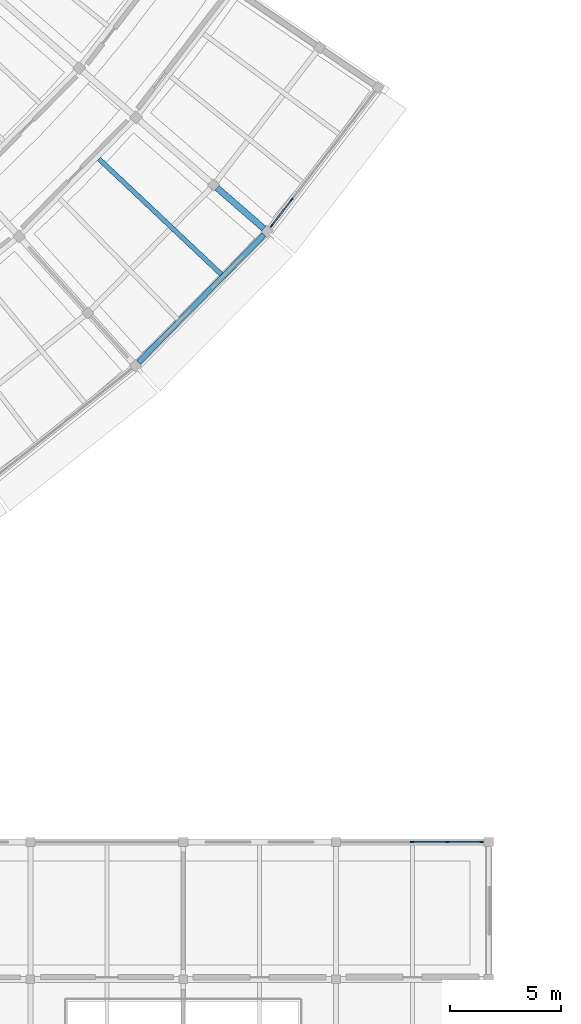
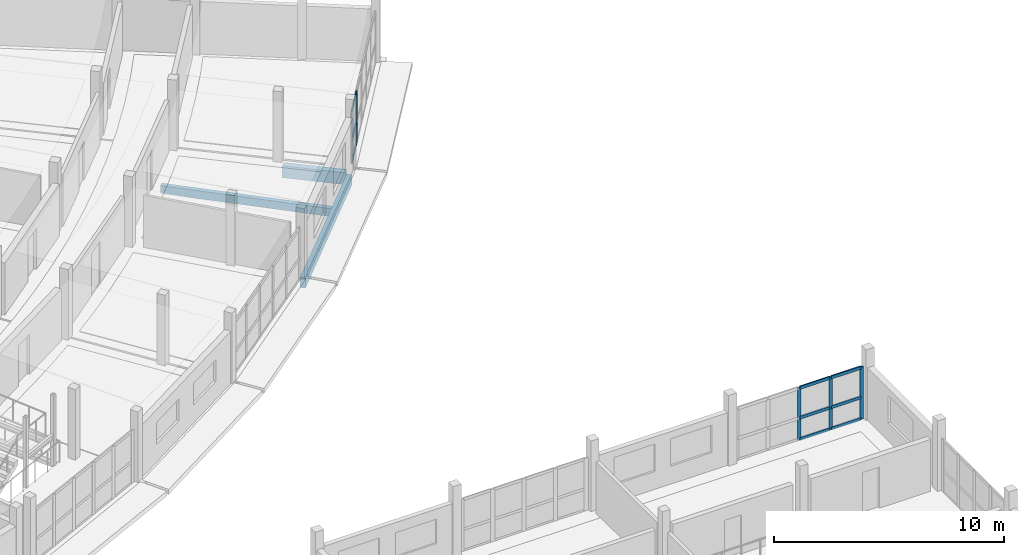
# One storey, part 39 of 77: 14 members, 3 beams, 2 elements without a shape of their own.
"""IFC4 building model written with IfcOpenShell, lengths in metres."""

import ifcopenshell
import ifcopenshell.guid

model = None  # the IFC model being written
_history = None  # IfcOwnerHistory: only IFC2X3 demands one
_inside = {}  # id of a spatial element -> (the spatial element, [elements in it])
_under = {}  # id of a project, library or spatial element -> (it, [spatial elements below it])
_declared = {}  # id of a project -> (the project, [libraries it declares])
_typed = {}  # id of a type object -> (the type object, [elements of that type])
_made_of = {}  # id of a material, layer set ... -> (it, [elements and type objects made of it])


def new_model(schema):
    """Start an empty IFC model of exactly this schema.

    Asked for "IFC4X3", IfcOpenShell would pick the latest addendum, in which some entities
    have other attributes; the version numbers below select the first issue.
    IFC2X3 requires an IfcOwnerHistory on every rooted entity: one is made here for all.
    """
    global model, _history
    if schema == "IFC4X3":
        model = ifcopenshell.file(schema_version=(4, 3, 0, 0))
    else:
        model = ifcopenshell.file(schema=schema)
    _inside.clear()
    _under.clear()
    _declared.clear()
    _typed.clear()
    _made_of.clear()
    _history = None
    if model.schema == "IFC2X3":
        org = make("IfcOrganization", Name="unknown")
        user = make(
            "IfcPersonAndOrganization",
            ThePerson=make("IfcPerson", FamilyName="unknown"),
            TheOrganization=org,
        )
        app = make(
            "IfcApplication",
            ApplicationDeveloper=org,
            Version="unknown",
            ApplicationFullName="unknown",
            ApplicationIdentifier="unknown",
        )
        _history = make(
            "IfcOwnerHistory",
            OwningUser=user,
            OwningApplication=app,
            ChangeAction="ADDED",
            CreationDate=0,
        )
    return model


def make(cls, **values):
    """One entity of the class cls with the attributes given. An attribute that is None is left unset."""
    return model.create_entity(
        cls, **{name: value for name, value in values.items() if value is not None}
    )


def rooted(cls, **values):
    """An entity with a GlobalId (a new one), such as an element, a storey or a relation."""
    return make(cls, GlobalId=ifcopenshell.guid.new(), OwnerHistory=_history, **values)


def si_unit(unit_type, name, prefix=None):
    """IfcSIUnit, for example si_unit("LENGTHUNIT", "METRE", prefix="MILLI")."""
    return make("IfcSIUnit", UnitType=unit_type, Prefix=prefix, Name=name)


def assignment(units):
    """IfcUnitAssignment: the units of a project."""
    return None if units is None else make("IfcUnitAssignment", Units=units)


def point(xyz):
    """IfcCartesianPoint."""
    return None if xyz is None else make("IfcCartesianPoint", Coordinates=xyz)


def direction(xyz):
    """IfcDirection."""
    return None if xyz is None else make("IfcDirection", DirectionRatios=xyz)


def frame(location, z_axis=None, x_axis=None):
    """IfcAxis2Placement3D, a coordinate frame: its origin and axes. An axis left out is left unset."""
    return make(
        "IfcAxis2Placement3D",
        Location=point(location),
        Axis=direction(z_axis),
        RefDirection=direction(x_axis),
    )


def frame_2d(location, x_axis=None):
    """IfcAxis2Placement2D, a coordinate frame in the plane: its origin and x axis."""
    return make(
        "IfcAxis2Placement2D", Location=point(location), RefDirection=direction(x_axis)
    )


def origin():
    """The frame at (0, 0, 0) with its axes left unset."""
    return frame((0.0, 0.0, 0.0))


def origin_2d():
    """The frame at (0, 0) in the plane with its x axis left unset."""
    return frame_2d((0.0, 0.0))


def place(relative_to, where):
    """IfcLocalPlacement: puts the frame where relative to a parent placement (None: the world)."""
    return make(
        "IfcLocalPlacement", PlacementRelTo=relative_to, RelativePlacement=where
    )


def context(
    kind, dimensions, precision=None, world=None, true_north=None, identifier=None
):
    """IfcGeometricRepresentationContext, for example the 3D "Model" context."""
    return make(
        "IfcGeometricRepresentationContext",
        ContextIdentifier=identifier,
        ContextType=kind,
        CoordinateSpaceDimension=dimensions,
        Precision=precision,
        WorldCoordinateSystem=world,
        TrueNorth=true_north,
    )


def subcontext(parent, identifier, kind, view, scale=None):
    """IfcGeometricRepresentationSubContext, for example "Body" below "Model"."""
    return make(
        "IfcGeometricRepresentationSubContext",
        ContextIdentifier=identifier,
        ContextType=kind,
        ParentContext=parent,
        TargetScale=scale,
        TargetView=view,
    )


def project(units=None, contexts=None):
    """IfcProject with its units and contexts."""
    return rooted(
        "IfcProject",
        Name="project",
        RepresentationContexts=contexts,
        UnitsInContext=assignment(units),
    )


def spatial(cls, under=None, at=None, **own):
    """A site, building, storey or space (cls), placed at a placement, below another one or the project."""
    s = rooted(cls, ObjectPlacement=at, **own)
    if under is not None:
        _under.setdefault(under.id(), (under, []))[1].append(s)
    return s


def profile(cls, at=None, kind="AREA", **sizes):
    """A parametric profile (cls). Its sizes go by their IFC names, for example OverallWidth=200.0."""
    return make(cls, ProfileType=kind, Position=at, **sizes)


def rectangle(**sizes):
    """IfcRectangleProfileDef."""
    return profile("IfcRectangleProfileDef", **sizes)


def extrude(swept, where, along, depth):
    """IfcExtrudedAreaSolid: the profile swept, set in the frame where, extruded along a direction by depth."""
    return make(
        "IfcExtrudedAreaSolid",
        SweptArea=swept,
        Position=where,
        ExtrudedDirection=direction(along),
        Depth=depth,
    )


def shape(context_of_items, identifier, shape_type, items):
    """IfcShapeRepresentation: the items that make up one representation, for example the "Body"."""
    return make(
        "IfcShapeRepresentation",
        ContextOfItems=context_of_items,
        RepresentationIdentifier=identifier,
        RepresentationType=shape_type,
        Items=items,
    )


def material(Name=None, Category=None):
    """IfcMaterial."""
    return make("IfcMaterial", Name=Name, Category=Category)


def layer(
    of_material, thickness, ventilated=None, Name=None, Category=None, Priority=None
):
    """IfcMaterialLayer: one layer of a wall or slab, of a material (None: an air gap)."""
    return make(
        "IfcMaterialLayer",
        Material=of_material,
        LayerThickness=thickness,
        IsVentilated=ventilated,
        Name=Name,
        Category=Category,
        Priority=Priority,
    )


def layer_set(layers, Name=None):
    """IfcMaterialLayerSet."""
    return make("IfcMaterialLayerSet", MaterialLayers=layers, LayerSetName=Name)


def material_profile(
    of_material, cross_section, Name=None, Category=None, Priority=None
):
    """IfcMaterialProfile: a cross section and its material."""
    return make(
        "IfcMaterialProfile",
        Name=Name,
        Material=of_material,
        Profile=cross_section,
        Priority=Priority,
        Category=Category,
    )


def profile_set(profiles, Name=None, composite=None):
    """IfcMaterialProfileSet."""
    return make(
        "IfcMaterialProfileSet",
        Name=Name,
        MaterialProfiles=profiles,
        CompositeProfile=composite,
    )


def made_of(thing, what):
    """Note that an element or type object is made of a material, layer set ...; save() writes the relation."""
    if what is not None:
        _made_of.setdefault(what.id(), (what, []))[1].append(thing)
    return thing


def type_object(cls, material=None, **own):
    """A type object (cls), such as IfcWallType, which elements share."""
    return made_of(rooted(cls, **own), material)


def element(
    cls,
    number,
    at=None,
    inside=None,
    cuts=None,
    type_object=None,
    material=None,
    context=None,
    identifier="Body",
    shape_type=None,
    held_by="IfcProductDefinitionShape",
    body=None,
    shapes=None,
    **own,
):
    """One element of the class cls, such as IfcWall. Its Tag is "e" and its number.

    at: its placement. inside: the storey or other place that contains it. cuts: it is an
    opening in that element (IfcRelVoidsElement). A single representation is given by context,
    identifier, shape_type and body (its items); several are given by shapes. held_by: the class
    of the entity that holds the representations. save() writes the other relations.
    """
    e = rooted(cls, Tag="e%d" % number, ObjectPlacement=at, **own)
    if body is not None:
        shapes = [shape(context, identifier, shape_type, body)]
    if shapes is not None:
        e.Representation = make(held_by, Representations=shapes)
    if inside is not None:
        _inside.setdefault(inside.id(), (inside, []))[1].append(e)
    if cuts is not None:
        rooted(
            "IfcRelVoidsElement", RelatingBuildingElement=cuts, RelatedOpeningElement=e
        )
    if type_object is not None:
        _typed.setdefault(type_object.id(), (type_object, []))[1].append(e)
    return made_of(e, material)


def aggregate(whole, parts):
    """IfcRelAggregates: a whole, such as a stair, and the parts it consists of."""
    return rooted("IfcRelAggregates", RelatingObject=whole, RelatedObjects=parts)


def save(model, path):
    """Write the relations noted so far, then the file.

    IfcRelAggregates (storeys below a building ...), IfcRelContainedInSpatialStructure (elements
    in a storey), IfcRelDefinesByType, IfcRelAssociatesMaterial and IfcRelDeclares: one each for
    every whole, place, type object, material and project.
    """
    for whole, parts in _under.values():
        aggregate(whole, parts)
    for where, things in _inside.values():
        rooted(
            "IfcRelContainedInSpatialStructure",
            RelatedElements=things,
            RelatingStructure=where,
        )
    for kind, things in _typed.values():
        rooted("IfcRelDefinesByType", RelatedObjects=things, RelatingType=kind)
    for what, things in _made_of.values():
        rooted("IfcRelAssociatesMaterial", RelatedObjects=things, RelatingMaterial=what)
    for by, libraries in _declared.values():
        rooted("IfcRelDeclares", RelatingContext=by, RelatedDefinitions=libraries)
    model.write(path)


model = new_model("IFC4")

# Units and contexts
model_context = context("Model", 3, precision=1e-05, world=origin(), true_north=direction((0.0, 1.0)))
body_context = subcontext(model_context, "Body", "Model", "MODEL_VIEW")
ifc_project = project(units=[si_unit("LENGTHUNIT", "METRE"), si_unit("AREAUNIT", "SQUARE_METRE"), si_unit("VOLUMEUNIT", "CUBIC_METRE"), si_unit("PLANEANGLEUNIT", "RADIAN"), si_unit("MASSUNIT", "GRAM", prefix="KILO")], contexts=[model_context])

# Site, building, storey
site_placement = place(None, origin())
site = spatial("IfcSite", under=ifc_project, at=site_placement, CompositionType="ELEMENT")
building_placement = place(site_placement, origin())
building = spatial("IfcBuilding", under=site, at=building_placement, Name="Caldaven Crescent School", CompositionType="ELEMENT")
storey_placement = place(building_placement, frame((0.0, 0.0, 4.419921875)))
storey = spatial("IfcBuildingStorey", under=building, at=storey_placement, Name="L01", CompositionType="ELEMENT", Elevation=4.419921875)

# Beam
ifc_material_1 = material(Name="Glulam MLE24h (GL28h)", Category="wood")
ifc_material_profile_1 = material_profile(ifc_material_1, rectangle(XDim=0.280029296875, YDim=0.6298828125, at=origin_2d()), Name="MLE 280x630")
ifc_profile_set_1 = profile_set([ifc_material_profile_1], Name="Glulam MLE24h (GL28h)")
beam_type_1 = type_object("IfcBeamType", Name="BM-GL63", PredefinedType="BEAM", material=ifc_profile_set_1)
beam_1_placement = place(storey_placement, frame((138.229736328125, 52.3359375, -0.534912109375), z_axis=(0.754735494095, -0.656029217302, 0.0), x_axis=(0.656029217302, 0.754735494095, 0.0)))
element("IfcBeam", 1, at=beam_1_placement, inside=storey, type_object=beam_type_1, Name="BMR-V4E-L01-1089", PredefinedType="BEAM", context=body_context, shape_type="SweptSolid", body=[
    extrude(rectangle(XDim=0.280029296875, YDim=0.6298828125, at=origin_2d()), origin(), (0.0, 0.0, 1.0), 2.7900390625),
])

# Curtain wall, members
ifc_material_2 = material(Name="Anodised aluminium AA 6063-T6 and low-E double glazing", Category="aluminium")
ifc_layer_1 = layer(ifc_material_2, 0.2099609375)
ifc_layer_set_1 = layer_set([ifc_layer_1], Name="Anodised aluminium AA 6063-T6 and low-E double glazing")
curtain_wall_type_1 = type_object("IfcCurtainWallType", Name="CW-SYS3", PredefinedType="NOTDEFINED", material=ifc_layer_set_1)
curtain_wall_1_placement = place(storey_placement, origin())
curtain_wall_1 = element("IfcCurtainWall", 2, at=curtain_wall_1_placement, inside=storey, type_object=curtain_wall_type_1, Name="CW-L01-135", PredefinedType="NOTDEFINED")
ifc_material_3 = material(Name="Anodised aluminium AA 6063-T6", Category="aluminium")
ifc_material_profile_2 = material_profile(ifc_material_3, rectangle(XDim=0.06005859375, YDim=0.14990234375, at=origin_2d()), Name="CWM 60x150")
ifc_profile_set_2 = profile_set([ifc_material_profile_2], Name="Anodised aluminium AA 6063-T6")
member_type_1 = type_object("IfcMemberType", Name="CWM-T1", PredefinedType="MULLION", material=ifc_profile_set_2)
member_1_placement = place(storey_placement, frame((140.69140625, 50.632568359375, 0.0), z_axis=(0.0, 0.0, 1.0), x_axis=(-0.792104244757, 0.610385833254, 0.0)))
member_1 = element("IfcMember", 3, at=member_1_placement, type_object=member_type_1, Name="CW3 mullion 1", PredefinedType="MULLION", context=body_context, shape_type="SweptSolid", body=[
    extrude(rectangle(XDim=0.06005859375, YDim=0.14990234375, at=origin_2d()), origin(), (0.0, 0.0, 1.0), 2.780029296875),
])
member_2_placement = place(storey_placement, frame((141.601806640625, 51.81396484375, 0.0), z_axis=(0.0, 0.0, 1.0), x_axis=(-0.792104244757, 0.610385833254, 0.0)))
member_2 = element("IfcMember", 4, at=member_2_placement, type_object=member_type_1, Name="CW3 mullion 2", PredefinedType="MULLION", context=body_context, shape_type="SweptSolid", body=[
    extrude(rectangle(XDim=0.06005859375, YDim=0.14990234375, at=origin_2d()), origin(), (0.0, 0.0, 1.0), 2.780029296875),
])

ifc_layer_2 = layer(ifc_material_2, 0.169921875)
ifc_layer_set_2 = layer_set([ifc_layer_2], Name="Anodised aluminium AA 6063-T6 and low-E double glazing")
curtain_wall_type_2 = type_object("IfcCurtainWallType", Name="CW-SYS1", PredefinedType="NOTDEFINED", material=ifc_layer_set_2)
curtain_wall_2_placement = place(storey_placement, origin())
curtain_wall_2 = element("IfcCurtainWall", 5, at=curtain_wall_2_placement, inside=storey, type_object=curtain_wall_type_2, Name="CW-L01-087", PredefinedType="NOTDEFINED")
ifc_material_profile_3 = material_profile(ifc_material_3, rectangle(XDim=0.06494140625, YDim=0.179931640625, at=origin_2d()), Name="CWM 65x180")
ifc_profile_set_3 = profile_set([ifc_material_profile_3], Name="Anodised aluminium AA 6063-T6")
member_type_2 = type_object("IfcMemberType", Name="CWM-T2", PredefinedType="MULLION", material=ifc_profile_set_3)
member_3_placement = place(storey_placement, frame((147.050048828125, 22.800048828125, 0.0), z_axis=(0.0, 0.0, 1.0), x_axis=(0.0, 1.0, 0.0)))
member_3 = element("IfcMember", 6, at=member_3_placement, type_object=member_type_2, Name="CW1 mullion 3", PredefinedType="MULLION", context=body_context, shape_type="SweptSolid", body=[
    extrude(rectangle(XDim=0.06494140625, YDim=0.179931640625, at=origin_2d()), origin(), (0.0, 0.0, 1.0), 2.780029296875),
])
member_4_placement = place(storey_placement, frame((148.625, 22.800048828125, 0.0), z_axis=(0.0, 0.0, 1.0), x_axis=(0.0, 1.0, 0.0)))
member_4 = element("IfcMember", 7, at=member_4_placement, type_object=member_type_2, Name="CW1 mullion 4", PredefinedType="MULLION", context=body_context, shape_type="SweptSolid", body=[
    extrude(rectangle(XDim=0.06494140625, YDim=0.179931640625, at=origin_2d()), origin(), (0.0, 0.0, 1.0), 2.780029296875),
])
member_5_placement = place(storey_placement, frame((150.16748046875, 22.800048828125, 0.0), z_axis=(0.0, 0.0, 1.0), x_axis=(0.0, 1.0, 0.0)))
member_5 = element("IfcMember", 8, at=member_5_placement, type_object=member_type_2, Name="CW1 mullion 5", PredefinedType="MULLION", context=body_context, shape_type="SweptSolid", body=[
    extrude(rectangle(XDim=0.06494140625, YDim=0.179931640625, at=origin_2d()), origin(), (0.0, 0.0, 1.0), 2.780029296875),
])

# Member
ifc_material_profile_4 = material_profile(ifc_material_3, rectangle(XDim=0.06005859375, YDim=0.1201171875, at=origin_2d()), Name="CWT 60x120")
ifc_profile_set_4 = profile_set([ifc_material_profile_4], Name="Anodised aluminium AA 6063-T6")
member_type_3 = type_object("IfcMemberType", Name="CWT-T1", PredefinedType="USERDEFINED", material=ifc_profile_set_4)
member_6_placement = place(storey_placement, frame((140.709716796875, 50.65625, 0.030029296875), z_axis=(0.6104276164, 0.792072045421, 0.0), x_axis=(-0.792072045421, 0.6104276164, 0.0)))
member_6 = element("IfcMember", 9, at=member_6_placement, type_object=member_type_3, Name="CW3 transom 1.1", ObjectType="TRANSOM", PredefinedType="USERDEFINED", context=body_context, shape_type="SweptSolid", body=[
    extrude(rectangle(XDim=0.06005859375, YDim=0.1201171875, at=origin_2d()), origin(), (0.0, 0.0, 1.0), 1.431396484375),
])

member_7_placement = place(storey_placement, frame((140.709716796875, 50.65625, 1.16796875), z_axis=(0.6104276164, 0.792072045421, 0.0), x_axis=(-0.792072045421, 0.6104276164, 0.0)))
member_7 = element("IfcMember", 10, at=member_7_placement, type_object=member_type_3, Name="CW3 transom 1.2", ObjectType="TRANSOM", PredefinedType="USERDEFINED", context=body_context, shape_type="SweptSolid", body=[
    extrude(rectangle(XDim=0.06005859375, YDim=0.1201171875, at=origin_2d()), origin(), (0.0, 0.0, 1.0), 1.431396484375),
])

member_8_placement = place(storey_placement, frame((140.709716796875, 50.65625, 2.75), z_axis=(0.6104276164, 0.792072045421, 0.0), x_axis=(-0.792072045421, 0.6104276164, 0.0)))
member_8 = element("IfcMember", 11, at=member_8_placement, type_object=member_type_3, Name="CW3 transom 1.3", ObjectType="TRANSOM", PredefinedType="USERDEFINED", context=body_context, shape_type="SweptSolid", body=[
    extrude(rectangle(XDim=0.06005859375, YDim=0.1201171875, at=origin_2d()), origin(), (0.0, 0.0, 1.0), 1.431396484375),
])

aggregate(curtain_wall_1, [member_1, member_2, member_6, member_7, member_8])

ifc_material_profile_5 = material_profile(ifc_material_3, rectangle(XDim=0.070068359375, YDim=0.159912109375, at=origin_2d()), Name="CWT 70x160")
ifc_profile_set_5 = profile_set([ifc_material_profile_5], Name="Anodised aluminium AA 6063-T6")
member_type_4 = type_object("IfcMemberType", Name="CWT-T3", PredefinedType="USERDEFINED", material=ifc_profile_set_5)
member_9_placement = place(storey_placement, frame((147.08251953125, 22.800048828125, 0.03515625), z_axis=(1.0, 0.0, 0.0), x_axis=(0.0, 1.0, 0.0)))
member_9 = element("IfcMember", 12, at=member_9_placement, type_object=member_type_4, Name="CW1 transom 3.1", ObjectType="TRANSOM", PredefinedType="USERDEFINED", context=body_context, shape_type="SweptSolid", body=[
    extrude(rectangle(XDim=0.070068359375, YDim=0.159912109375, at=origin_2d()), origin(), (0.0, 0.0, 1.0), 1.510009765625),
])

member_10_placement = place(storey_placement, frame((147.08251953125, 22.800048828125, 1.16796875), z_axis=(1.0, 0.0, 0.0), x_axis=(0.0, 1.0, 0.0)))
member_10 = element("IfcMember", 13, at=member_10_placement, type_object=member_type_4, Name="CW1 transom 3.2", ObjectType="TRANSOM", PredefinedType="USERDEFINED", context=body_context, shape_type="SweptSolid", body=[
    extrude(rectangle(XDim=0.070068359375, YDim=0.159912109375, at=origin_2d()), origin(), (0.0, 0.0, 1.0), 1.510009765625),
])

member_11_placement = place(storey_placement, frame((147.08251953125, 22.800048828125, 2.7451171875), z_axis=(1.0, 0.0, 0.0), x_axis=(0.0, 1.0, 0.0)))
member_11 = element("IfcMember", 14, at=member_11_placement, type_object=member_type_4, Name="CW1 transom 3.3", ObjectType="TRANSOM", PredefinedType="USERDEFINED", context=body_context, shape_type="SweptSolid", body=[
    extrude(rectangle(XDim=0.070068359375, YDim=0.159912109375, at=origin_2d()), origin(), (0.0, 0.0, 1.0), 1.510009765625),
])

member_12_placement = place(storey_placement, frame((148.657470703125, 22.800048828125, 0.03515625), z_axis=(1.0, 0.0, 0.0), x_axis=(0.0, 1.0, 0.0)))
member_12 = element("IfcMember", 15, at=member_12_placement, type_object=member_type_4, Name="CW1 transom 4.1", ObjectType="TRANSOM", PredefinedType="USERDEFINED", context=body_context, shape_type="SweptSolid", body=[
    extrude(rectangle(XDim=0.070068359375, YDim=0.159912109375, at=origin_2d()), origin(), (0.0, 0.0, 1.0), 1.4775390625),
])

member_13_placement = place(storey_placement, frame((148.657470703125, 22.800048828125, 1.16796875), z_axis=(1.0, 0.0, 0.0), x_axis=(0.0, 1.0, 0.0)))
member_13 = element("IfcMember", 16, at=member_13_placement, type_object=member_type_4, Name="CW1 transom 4.2", ObjectType="TRANSOM", PredefinedType="USERDEFINED", context=body_context, shape_type="SweptSolid", body=[
    extrude(rectangle(XDim=0.070068359375, YDim=0.159912109375, at=origin_2d()), origin(), (0.0, 0.0, 1.0), 1.4775390625),
])

member_14_placement = place(storey_placement, frame((148.657470703125, 22.800048828125, 2.7451171875), z_axis=(1.0, 0.0, 0.0), x_axis=(0.0, 1.0, 0.0)))
member_14 = element("IfcMember", 17, at=member_14_placement, type_object=member_type_4, Name="CW1 transom 4.3", ObjectType="TRANSOM", PredefinedType="USERDEFINED", context=body_context, shape_type="SweptSolid", body=[
    extrude(rectangle(XDim=0.070068359375, YDim=0.159912109375, at=origin_2d()), origin(), (0.0, 0.0, 1.0), 1.4775390625),
])

aggregate(curtain_wall_2, [member_3, member_4, member_5, member_9, member_10, member_11, member_12, member_13, member_14])

# Beams
ifc_material_profile_6 = material_profile(ifc_material_1, rectangle(XDim=0.2099609375, YDim=0.419921875, at=origin_2d()), Name="MLE 210x420")
ifc_profile_set_6 = profile_set([ifc_material_profile_6], Name="Glulam MLE24h (GL28h)")
beam_type_2 = type_object("IfcBeamType", Name="JS-GL42", PredefinedType="JOIST", material=ifc_profile_set_6)
beam_2_placement = place(storey_placement, frame((132.88916015625, 53.651123046875, -0.429931640625), z_axis=(0.727395768379, -0.686218184067, 0.0), x_axis=(0.686218184067, 0.727395768379, 0.0)))
element("IfcBeam", 18, at=beam_2_placement, inside=storey, type_object=beam_type_2, Name="JSR-V4E-L01-1125", PredefinedType="JOIST", context=body_context, shape_type="SweptSolid", body=[
    extrude(rectangle(XDim=0.2099609375, YDim=0.419921875, at=origin_2d()), origin(), (0.0, 0.0, 1.0), 7.60693359375),
])
ifc_material_profile_7 = material_profile(ifc_material_1, rectangle(XDim=0.239990234375, YDim=0.5400390625, at=origin_2d()), Name="MLE 240x540")
ifc_profile_set_7 = profile_set([ifc_material_profile_7], Name="Glulam MLE24h (GL28h)")
beam_type_3 = type_object("IfcBeamType", Name="SP-GL54", PredefinedType="SPANDREL", material=ifc_profile_set_7)
beam_3_placement = place(storey_placement, frame((134.681640625, 44.46044921875, -0.489990234375), z_axis=(0.700917484714, 0.713242370882, 0.0), x_axis=(-0.713242370882, 0.700917484714, 0.0)))
element("IfcBeam", 19, at=beam_3_placement, inside=storey, type_object=beam_type_3, Name="BMT-V4E-L01-1121", PredefinedType="SPANDREL", context=body_context, shape_type="SweptSolid", body=[
    extrude(rectangle(XDim=0.239990234375, YDim=0.5400390625, at=origin_2d()), origin(), (0.0, 0.0, 1.0), 8.08203125),
])

save(model, "model.ifc")
